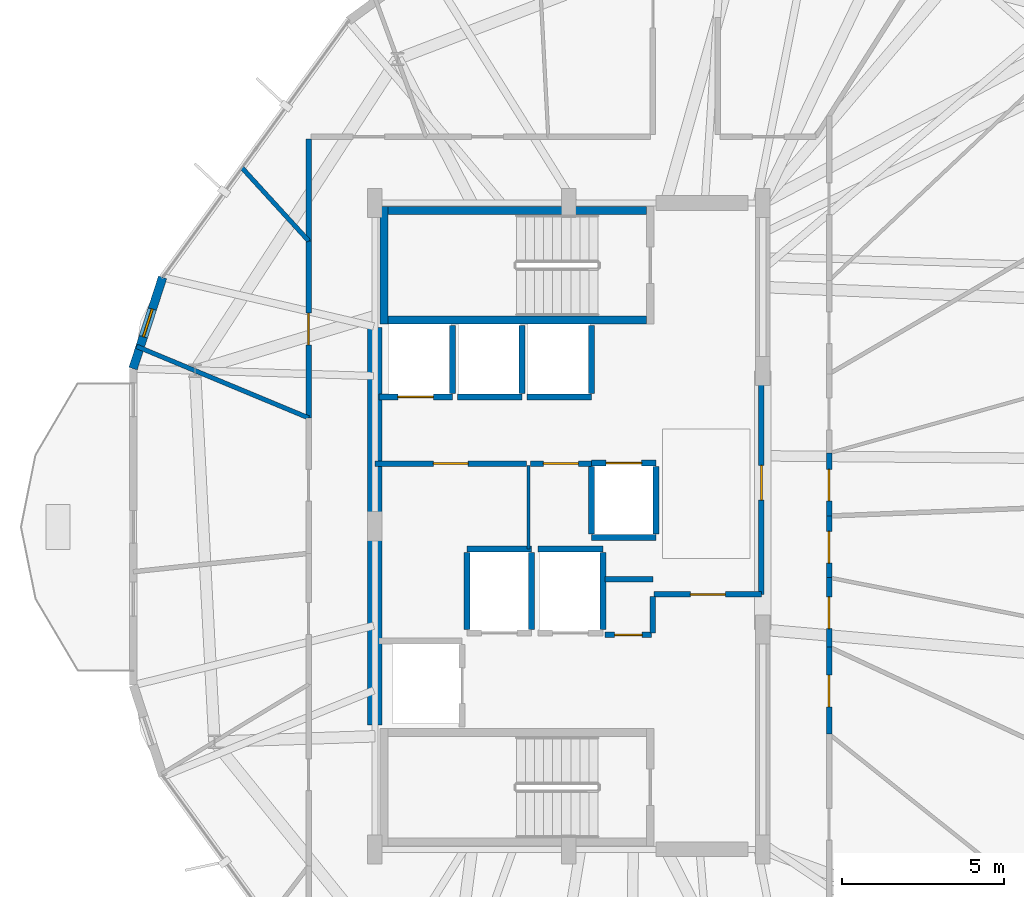
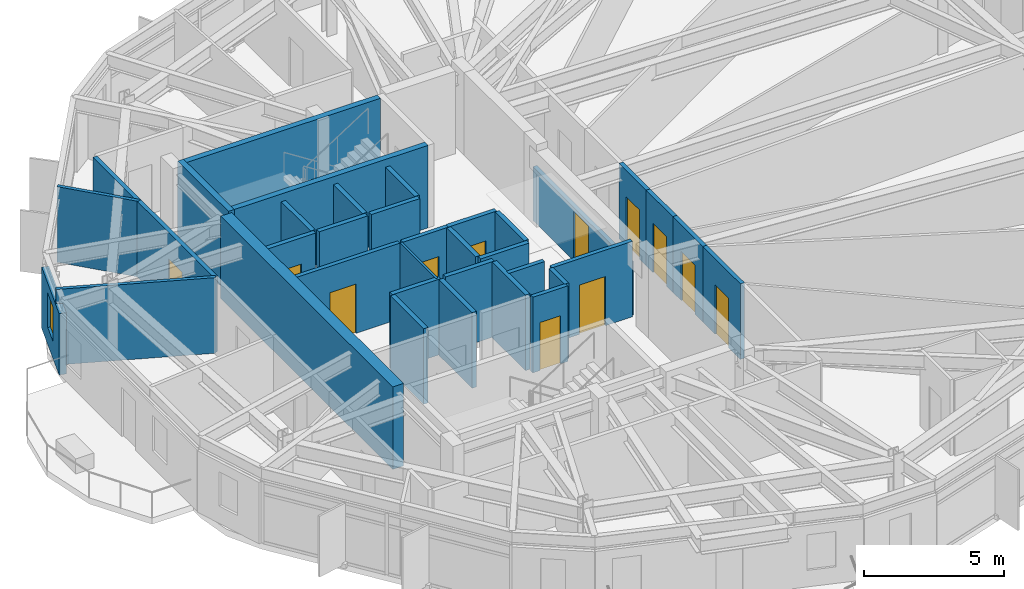
# One storey, part 26 of 31: 36 walls, 12 doors, 1 window, 13 openings.
"""IFC4 building model written with IfcOpenShell, lengths in metres."""

from ifc_helpers import new_model, si_unit, direction, frame, frame_2d, origin, place, context, subcontext, project, spatial, rectangle, extrude, material, layer, layer_set, type_object, element, fill, save


model = new_model("IFC4")

# Units and contexts
model_context = context("Model", 3, precision=1e-05, world=origin(), true_north=direction((0.0, 1.0)))
body_context = subcontext(model_context, "Body", "Model", "MODEL_VIEW")
ifc_project = project(units=[si_unit("LENGTHUNIT", "METRE"), si_unit("AREAUNIT", "SQUARE_METRE"), si_unit("VOLUMEUNIT", "CUBIC_METRE"), si_unit("PLANEANGLEUNIT", "RADIAN"), si_unit("MASSUNIT", "GRAM", prefix="KILO")], contexts=[model_context])

# Site, building, storey
site_placement = place(None, origin())
site = spatial("IfcSite", under=ifc_project, at=site_placement, CompositionType="ELEMENT")
building_placement = place(site_placement, origin())
building = spatial("IfcBuilding", under=site, at=building_placement, Name="Soratama Intermodal Tower", CompositionType="ELEMENT")
storey_placement = place(building_placement, frame((0.0, 0.0, 230.199951171875)))
storey = spatial("IfcBuildingStorey", under=building, at=storey_placement, Name="L58", CompositionType="ELEMENT", Elevation=230.199951171875)

# Wall, opening, window
ifc_material_1 = material(Name="Concrete f'c 42 MPa", Category="concrete")
ifc_layer_1 = layer(ifc_material_1, 0.27001953125)
ifc_layer_set_1 = layer_set([ifc_layer_1], Name="Concrete f'c 42 MPa")
wall_type_1 = type_object("IfcWallType", Name="EW-CRN-270", PredefinedType="SOLIDWALL", material=ifc_layer_set_1)
wall_1_placement = place(storey_placement, frame((26.031494140625, 32.700439453125, 0.0), z_axis=(0.0, 0.0, 1.0), x_axis=(-0.307945174151, -0.95140410432, 0.0)))
wall_1 = element("IfcWall", 1, at=wall_1_placement, inside=storey, type_object=wall_type_1, Name="L58 Corner Closure Wall 03", PredefinedType="SOLIDWALL", context=body_context, shape_type="SweptSolid", body=[
    extrude(rectangle(XDim=2.966796875, YDim=0.27001953125, at=frame_2d((1.4833984375, 0.0))), origin(), (0.0, 0.0, 1.0), 2.678955078125),
])
opening_1_placement = place(wall_1_placement, frame((1.033203125, 0.0, 0.75)))
opening_1 = element("IfcOpeningElement", 2, at=opening_1_placement, cuts=wall_1, Name="Opening WN-6", PredefinedType="OPENING", context=body_context, shape_type="SweptSolid", body=[
    extrude(rectangle(XDim=0.89990234375, YDim=1.5, at=frame_2d((0.449951171875, 0.75))), frame((0.0, 0.14501953125, 0.0), z_axis=(0.0, -1.0, 0.0), x_axis=(1.0, 0.0, 0.0)), (0.0, 0.0, 1.0), 0.2900390625),
])
ifc_material_2 = material(Name="Double-glazed aluminium window", Category="aluminium")
window_type = type_object("IfcWindowType", Name="WN-FAC-900", PartitioningType="SINGLE_PANEL", PredefinedType="WINDOW", material=ifc_material_2)
window_placement = place(opening_1_placement, origin())
window = element("IfcWindow", 3, at=window_placement, inside=storey, type_object=window_type, Name="L58 Corner Window 03", OverallHeight=1.5, OverallWidth=0.89990234375, PartitioningType="SINGLE_PANEL", PredefinedType="WINDOW", context=body_context, shape_type="SweptSolid", body=[
    extrude(rectangle(XDim=0.89990234375, YDim=1.5, at=frame_2d((0.449951171875, 0.75))), frame((0.0, 0.030029296875, 0.0), z_axis=(0.0, -1.0, 0.0), x_axis=(1.0, 0.0, 0.0)), (0.0, 0.0, 1.0), 0.06005859375),
])
fill(opening_1, window)

# Wall, opening, door
ifc_material_3 = material(Name="Fire-rated gypsum stud partition", Category="concrete")
ifc_layer_2 = layer(ifc_material_3, 0.169921875)
ifc_layer_set_2 = layer_set([ifc_layer_2], Name="Fire-rated gypsum stud partition")
wall_type_2 = type_object("IfcWallType", Name="IW-PART-R170", PredefinedType="PARTITIONING", material=ifc_layer_set_2)
wall_2_placement = place(storey_placement, frame((44.56005859375, 29.800048828125, 0.0), z_axis=(0.0, 0.0, 1.0), x_axis=(0.0, -1.0, 0.0)))
wall_2 = element("IfcWall", 4, at=wall_2_placement, inside=storey, type_object=wall_type_2, Name="L58 Partition W-L58-TP011", PredefinedType="PARTITIONING", context=body_context, shape_type="SweptSolid", body=[
    extrude(rectangle(XDim=6.91015625, YDim=0.169921875, at=frame_2d((3.455078125, 0.0))), origin(), (0.0, 0.0, 1.0), 2.340087890625),
])
opening_2_placement = place(wall_2_placement, frame((2.9150390625, 0.0, 0.0)))
opening_2 = element("IfcOpeningElement", 5, at=opening_2_placement, cuts=wall_2, Name="Opening ID-1", PredefinedType="OPENING", context=body_context, shape_type="SweptSolid", body=[
    extrude(rectangle(XDim=1.080078125, YDim=2.14990234375, at=frame_2d((0.5400390625, 1.074951171875))), frame((0.0, 0.094970703125, 0.0), z_axis=(0.0, -1.0, 0.0), x_axis=(1.0, 0.0, 0.0)), (0.0, 0.0, 1.0), 0.18994140625),
])
ifc_material_4 = material(Name="Solid hardwood acoustic door", Category="wood")
door_type_1 = type_object("IfcDoorType", Name="DR-LOB-FD60", OperationType="NOTDEFINED", PredefinedType="DOOR", material=ifc_material_4)
door_1_placement = place(opening_2_placement, origin())
door_1 = element("IfcDoor", 6, at=door_1_placement, inside=storey, type_object=door_type_1, Name="L58 Door D-L58-TP003", OperationType="SINGLE_SWING_RIGHT", OverallHeight=2.14990234375, OverallWidth=1.080078125, PredefinedType="DOOR", context=body_context, shape_type="SweptSolid", body=[
    extrude(rectangle(XDim=1.080078125, YDim=2.14990234375, at=frame_2d((0.5400390625, 1.074951171875))), frame((0.0, 0.02490234375, 0.0), z_axis=(0.0, -1.0, 0.0), x_axis=(1.0, 0.0, 0.0)), (0.0, 0.0, 1.0), 0.050048828125),
])
fill(opening_2, door_1)

wall_3_placement = place(storey_placement, frame((30.550048828125, 28.35107421875, 0.0), z_axis=(0.0, 0.0, 1.0), x_axis=(0.0, 1.0, 0.0)))
wall_3 = element("IfcWall", 7, at=wall_3_placement, inside=storey, type_object=wall_type_2, Name="L58 Partition W-L58-TP017", PredefinedType="PARTITIONING", context=body_context, shape_type="SweptSolid", body=[
    extrude(rectangle(XDim=5.475830078125, YDim=0.169921875, at=frame_2d((2.73779296875, 0.0))), origin(), (0.0, 0.0, 1.0), 3.300048828125),
])
opening_3_placement = place(wall_3_placement, frame((2.262939453125, 0.0, 0.0)))
opening_3 = element("IfcOpeningElement", 8, at=opening_3_placement, cuts=wall_3, Name="Opening ID-5", PredefinedType="OPENING", context=body_context, shape_type="SweptSolid", body=[
    extrude(rectangle(XDim=0.97998046875, YDim=2.14990234375, at=frame_2d((0.489990234375, 1.074951171875))), frame((0.0, 0.094970703125, 0.0), z_axis=(0.0, -1.0, 0.0), x_axis=(1.0, 0.0, 0.0)), (0.0, 0.0, 1.0), 0.18994140625),
])
ifc_material_5 = material(Name="Solid hardwood acoustic door", Category="wood")
door_type_2 = type_object("IfcDoorType", Name="DR-OFF-980", OperationType="NOTDEFINED", PredefinedType="DOOR", material=ifc_material_5)
door_2_placement = place(opening_3_placement, origin())
door_2 = element("IfcDoor", 9, at=door_2_placement, inside=storey, type_object=door_type_2, Name="L58 Door D-L58-TP006", OperationType="SINGLE_SWING_LEFT", OverallHeight=2.14990234375, OverallWidth=0.97998046875, PredefinedType="DOOR", context=body_context, shape_type="SweptSolid", body=[
    extrude(rectangle(XDim=0.97998046875, YDim=2.14990234375, at=frame_2d((0.489990234375, 1.074951171875))), frame((0.0, 0.02490234375, 0.0), z_axis=(0.0, -1.0, 0.0), x_axis=(1.0, 0.0, 0.0)), (0.0, 0.0, 1.0), 0.050048828125),
])
fill(opening_3, door_2)

wall_4_placement = place(storey_placement, frame((37.2900390625, 26.93994140625, 0.0), z_axis=(0.0, 0.0, 1.0), x_axis=(-1.0, 0.0, 0.0)))
wall_4 = element("IfcWall", 10, at=wall_4_placement, inside=storey, type_object=wall_type_2, Name="L58 Partition W-L58-TP024", PredefinedType="PARTITIONING", context=body_context, shape_type="SweptSolid", body=[
    extrude(rectangle(XDim=4.68994140625, YDim=0.169921875, at=frame_2d((2.344970703125, 0.0))), origin(), (0.0, 0.0, 1.0), 3.300048828125),
])
opening_4_placement = place(wall_4_placement, frame((1.804931640625, 0.0, 0.0)))
opening_4 = element("IfcOpeningElement", 11, at=opening_4_placement, cuts=wall_4, Name="Opening ID-1", PredefinedType="OPENING", context=body_context, shape_type="SweptSolid", body=[
    extrude(rectangle(XDim=1.080078125, YDim=2.14990234375, at=frame_2d((0.5400390625, 1.074951171875))), frame((0.0, 0.094970703125, 0.0), z_axis=(0.0, -1.0, 0.0), x_axis=(1.0, 0.0, 0.0)), (0.0, 0.0, 1.0), 0.18994140625),
])
door_3_placement = place(opening_4_placement, origin())
door_3 = element("IfcDoor", 12, at=door_3_placement, inside=storey, type_object=door_type_1, Name="L58 Door D-L58-TP009", OperationType="SINGLE_SWING_RIGHT", OverallHeight=2.14990234375, OverallWidth=1.080078125, PredefinedType="DOOR", context=body_context, shape_type="SweptSolid", body=[
    extrude(rectangle(XDim=1.080078125, YDim=2.14990234375, at=frame_2d((0.5400390625, 1.074951171875))), frame((0.0, 0.02490234375, 0.0), z_axis=(0.0, -1.0, 0.0), x_axis=(1.0, 0.0, 0.0)), (0.0, 0.0, 1.0), 0.050048828125),
])
fill(opening_4, door_3)

wall_5_placement = place(storey_placement, frame((41.239990234375, 22.889892578125, 0.0), z_axis=(0.0, 0.0, 1.0), x_axis=(1.0, 0.0, 0.0)))
wall_5 = element("IfcWall", 13, at=wall_5_placement, inside=storey, type_object=wall_type_2, Name="L58 Partition W-L58-TP030", PredefinedType="PARTITIONING", context=body_context, shape_type="SweptSolid", body=[
    extrude(rectangle(XDim=3.320068359375, YDim=0.169921875, at=frame_2d((1.66015625, 0.0))), origin(), (0.0, 0.0, 1.0), 3.300048828125),
])
opening_5_placement = place(wall_5_placement, frame((1.1201171875, 0.0, 0.0)))
opening_5 = element("IfcOpeningElement", 14, at=opening_5_placement, cuts=wall_5, Name="Opening ID-0", PredefinedType="OPENING", context=body_context, shape_type="SweptSolid", body=[
    extrude(rectangle(XDim=1.080078125, YDim=2.14990234375, at=frame_2d((0.5400390625, 1.074951171875))), frame((0.0, 0.094970703125, 0.0), z_axis=(0.0, -1.0, 0.0), x_axis=(1.0, 0.0, 0.0)), (0.0, 0.0, 1.0), 0.18994140625),
])
ifc_material_6 = material(Name="Solid hardwood acoustic door", Category="wood")
door_type_3 = type_object("IfcDoorType", Name="DR-LOB-FD90", OperationType="NOTDEFINED", PredefinedType="DOOR", material=ifc_material_6)
door_4_placement = place(opening_5_placement, origin())
door_4 = element("IfcDoor", 15, at=door_4_placement, inside=storey, type_object=door_type_3, Name="L58 Door D-L58-TP014", OperationType="SINGLE_SWING_LEFT", OverallHeight=2.14990234375, OverallWidth=1.080078125, PredefinedType="DOOR", context=body_context, shape_type="SweptSolid", body=[
    extrude(rectangle(XDim=1.080078125, YDim=2.14990234375, at=frame_2d((0.5400390625, 1.074951171875))), frame((0.0, 0.02490234375, 0.0), z_axis=(0.0, -1.0, 0.0), x_axis=(1.0, 0.0, 0.0)), (0.0, 0.0, 1.0), 0.050048828125),
])
fill(opening_5, door_4)

# Wall
wall_6_placement = place(storey_placement, frame((30.550048828125, 33.826904296875, 0.0), z_axis=(0.0, 0.0, 1.0), x_axis=(0.0, 1.0, 0.0)))
element("IfcWall", 16, at=wall_6_placement, inside=storey, type_object=wall_type_2, Name="L58 Partition W-L58-TP032", PredefinedType="PARTITIONING", context=body_context, shape_type="SweptSolid", body=[
    extrude(rectangle(XDim=3.153076171875, YDim=0.169921875, at=frame_2d((1.57666015625, 0.0))), origin(), (0.0, 0.0, 1.0), 3.300048828125),
])

# Wall, opening, door
wall_7_placement = place(storey_placement, frame((46.64990234375, 21.264892578125, 0.0), z_axis=(0.0, 0.0, 1.0), x_axis=(0.0, -1.0, 0.0)))
wall_7 = element("IfcWall", 17, at=wall_7_placement, inside=storey, type_object=wall_type_2, Name="L58 Partition W-L58-TP036", PredefinedType="PARTITIONING", context=body_context, shape_type="SweptSolid", body=[
    extrude(rectangle(XDim=2.69189453125, YDim=0.169921875, at=frame_2d((1.345947265625, 0.0))), origin(), (0.0, 0.0, 1.0), 3.300048828125),
])
opening_6_placement = place(wall_7_placement, frame((0.87109375, 0.0, 0.0)))
opening_6 = element("IfcOpeningElement", 18, at=opening_6_placement, cuts=wall_7, Name="Opening ID-5", PredefinedType="OPENING", context=body_context, shape_type="SweptSolid", body=[
    extrude(rectangle(XDim=0.97998046875, YDim=2.14990234375, at=frame_2d((0.489990234375, 1.074951171875))), frame((0.0, 0.094970703125, 0.0), z_axis=(0.0, -1.0, 0.0), x_axis=(1.0, 0.0, 0.0)), (0.0, 0.0, 1.0), 0.18994140625),
])
door_5_placement = place(opening_6_placement, origin())
door_5 = element("IfcDoor", 19, at=door_5_placement, inside=storey, type_object=door_type_2, Name="L58 Door D-L58-TP017", OperationType="SINGLE_SWING_RIGHT", OverallHeight=2.14990234375, OverallWidth=0.97998046875, PredefinedType="DOOR", context=body_context, shape_type="SweptSolid", body=[
    extrude(rectangle(XDim=0.97998046875, YDim=2.14990234375, at=frame_2d((0.489990234375, 1.074951171875))), frame((0.0, 0.02490234375, 0.0), z_axis=(0.0, -1.0, 0.0), x_axis=(1.0, 0.0, 0.0)), (0.0, 0.0, 1.0), 0.050048828125),
])
fill(opening_6, door_5)

wall_8_placement = place(storey_placement, frame((46.64990234375, 23.409912109375, 0.0), z_axis=(0.0, 0.0, 1.0), x_axis=(0.0, -1.0, 0.0)))
wall_8 = element("IfcWall", 20, at=wall_8_placement, inside=storey, type_object=wall_type_2, Name="L58 Partition W-L58-TP043", PredefinedType="PARTITIONING", context=body_context, shape_type="SweptSolid", body=[
    extrude(rectangle(XDim=2.14501953125, YDim=0.169921875, at=frame_2d((1.072509765625, 0.0))), origin(), (0.0, 0.0, 1.0), 3.300048828125),
])
opening_7_placement = place(wall_8_placement, frame((0.596923828125, 0.0, 0.0)))
opening_7 = element("IfcOpeningElement", 21, at=opening_7_placement, cuts=wall_8, Name="Opening ID-5", PredefinedType="OPENING", context=body_context, shape_type="SweptSolid", body=[
    extrude(rectangle(XDim=0.97998046875, YDim=2.14990234375, at=frame_2d((0.489990234375, 1.074951171875))), frame((0.0, 0.094970703125, 0.0), z_axis=(0.0, -1.0, 0.0), x_axis=(1.0, 0.0, 0.0)), (0.0, 0.0, 1.0), 0.18994140625),
])
door_6_placement = place(opening_7_placement, origin())
door_6 = element("IfcDoor", 22, at=door_6_placement, inside=storey, type_object=door_type_2, Name="L58 Door D-L58-TP020", OperationType="SINGLE_SWING_LEFT", OverallHeight=2.14990234375, OverallWidth=0.97998046875, PredefinedType="DOOR", context=body_context, shape_type="SweptSolid", body=[
    extrude(rectangle(XDim=0.97998046875, YDim=2.14990234375, at=frame_2d((0.489990234375, 1.074951171875))), frame((0.0, 0.02490234375, 0.0), z_axis=(0.0, -1.0, 0.0), x_axis=(1.0, 0.0, 0.0)), (0.0, 0.0, 1.0), 0.050048828125),
])
fill(opening_7, door_6)

wall_9_placement = place(storey_placement, frame((46.64990234375, 27.258056640625, 0.0), z_axis=(0.0, 0.0, 1.0), x_axis=(0.0, -1.0, 0.0)))
wall_9 = element("IfcWall", 23, at=wall_9_placement, inside=storey, type_object=wall_type_2, Name="L58 Partition W-L58-TP045", PredefinedType="PARTITIONING", context=body_context, shape_type="SweptSolid", body=[
    extrude(rectangle(XDim=1.942138671875, YDim=0.169921875, at=frame_2d((0.97119140625, 0.0))), origin(), (0.0, 0.0, 1.0), 3.300048828125),
])
opening_8_placement = place(wall_9_placement, frame((0.49609375, 0.0, 0.0)))
opening_8 = element("IfcOpeningElement", 24, at=opening_8_placement, cuts=wall_9, Name="Opening ID-5", PredefinedType="OPENING", context=body_context, shape_type="SweptSolid", body=[
    extrude(rectangle(XDim=0.97998046875, YDim=2.14990234375, at=frame_2d((0.489990234375, 1.074951171875))), frame((0.0, 0.094970703125, 0.0), z_axis=(0.0, -1.0, 0.0), x_axis=(1.0, 0.0, 0.0)), (0.0, 0.0, 1.0), 0.18994140625),
])
door_7_placement = place(opening_8_placement, origin())
door_7 = element("IfcDoor", 25, at=door_7_placement, inside=storey, type_object=door_type_2, Name="L58 Door D-L58-TP021", OperationType="SINGLE_SWING_RIGHT", OverallHeight=2.14990234375, OverallWidth=0.97998046875, PredefinedType="DOOR", context=body_context, shape_type="SweptSolid", body=[
    extrude(rectangle(XDim=0.97998046875, YDim=2.14990234375, at=frame_2d((0.489990234375, 1.074951171875))), frame((0.0, 0.02490234375, 0.0), z_axis=(0.0, -1.0, 0.0), x_axis=(1.0, 0.0, 0.0)), (0.0, 0.0, 1.0), 0.050048828125),
])
fill(opening_8, door_7)

wall_10_placement = place(storey_placement, frame((46.64990234375, 25.31591796875, 0.0), z_axis=(0.0, 0.0, 1.0), x_axis=(0.0, -1.0, 0.0)))
wall_10 = element("IfcWall", 26, at=wall_10_placement, inside=storey, type_object=wall_type_2, Name="L58 Partition W-L58-TP046", PredefinedType="PARTITIONING", context=body_context, shape_type="SweptSolid", body=[
    extrude(rectangle(XDim=1.906005859375, YDim=0.169921875, at=frame_2d((0.953125, 0.0))), origin(), (0.0, 0.0, 1.0), 3.300048828125),
])
opening_9_placement = place(wall_10_placement, frame((0.47802734375, 0.0, 0.0)))
opening_9 = element("IfcOpeningElement", 27, at=opening_9_placement, cuts=wall_10, Name="Opening ID-5", PredefinedType="OPENING", context=body_context, shape_type="SweptSolid", body=[
    extrude(rectangle(XDim=0.97998046875, YDim=2.14990234375, at=frame_2d((0.489990234375, 1.074951171875))), frame((0.0, 0.094970703125, 0.0), z_axis=(0.0, -1.0, 0.0), x_axis=(1.0, 0.0, 0.0)), (0.0, 0.0, 1.0), 0.18994140625),
])
door_8_placement = place(opening_9_placement, origin())
door_8 = element("IfcDoor", 28, at=door_8_placement, inside=storey, type_object=door_type_2, Name="L58 Door D-L58-TP022", OperationType="SINGLE_SWING_LEFT", OverallHeight=2.14990234375, OverallWidth=0.97998046875, PredefinedType="DOOR", context=body_context, shape_type="SweptSolid", body=[
    extrude(rectangle(XDim=0.97998046875, YDim=2.14990234375, at=frame_2d((0.489990234375, 1.074951171875))), frame((0.0, 0.02490234375, 0.0), z_axis=(0.0, -1.0, 0.0), x_axis=(1.0, 0.0, 0.0)), (0.0, 0.0, 1.0), 0.050048828125),
])
fill(opening_9, door_8)

wall_11_placement = place(storey_placement, frame((39.300048828125, 26.93994140625, 0.0), z_axis=(0.0, 0.0, 1.0), x_axis=(-1.0, 0.0, 0.0)))
wall_11 = element("IfcWall", 29, at=wall_11_placement, inside=storey, type_object=wall_type_2, Name="L58 Partition W-L58-TP047", PredefinedType="PARTITIONING", context=body_context, shape_type="SweptSolid", body=[
    extrude(rectangle(XDim=1.89013671875, YDim=0.169921875, at=frame_2d((0.945068359375, 0.0))), origin(), (0.0, 0.0, 1.0), 3.300048828125),
])
opening_10_placement = place(wall_11_placement, frame((0.405029296875, 0.0, 0.0)))
opening_10 = element("IfcOpeningElement", 30, at=opening_10_placement, cuts=wall_11, Name="Opening ID-1", PredefinedType="OPENING", context=body_context, shape_type="SweptSolid", body=[
    extrude(rectangle(XDim=1.080078125, YDim=2.14990234375, at=frame_2d((0.5400390625, 1.074951171875))), frame((0.0, 0.094970703125, 0.0), z_axis=(0.0, -1.0, 0.0), x_axis=(1.0, 0.0, 0.0)), (0.0, 0.0, 1.0), 0.18994140625),
])
door_9_placement = place(opening_10_placement, origin())
door_9 = element("IfcDoor", 31, at=door_9_placement, inside=storey, type_object=door_type_1, Name="L58 Door D-L58-TP023", OperationType="SINGLE_SWING_RIGHT", OverallHeight=2.14990234375, OverallWidth=1.080078125, PredefinedType="DOOR", context=body_context, shape_type="SweptSolid", body=[
    extrude(rectangle(XDim=1.080078125, YDim=2.14990234375, at=frame_2d((0.5400390625, 1.074951171875))), frame((0.0, 0.02490234375, 0.0), z_axis=(0.0, -1.0, 0.0), x_axis=(1.0, 0.0, 0.0)), (0.0, 0.0, 1.0), 0.050048828125),
])
fill(opening_10, door_9)

wall_12_placement = place(storey_placement, frame((39.719970703125, 21.639892578125, 0.0), z_axis=(0.0, 0.0, 1.0), x_axis=(1.0, 0.0, 0.0)))
wall_12 = element("IfcWall", 32, at=wall_12_placement, inside=storey, type_object=wall_type_2, Name="L58 Partition W-L58-TP049", PredefinedType="PARTITIONING", context=body_context, shape_type="SweptSolid", body=[
    extrude(rectangle(XDim=1.43994140625, YDim=0.169921875, at=frame_2d((0.719970703125, 0.0))), origin(), (0.0, 0.0, 1.0), 3.300048828125),
])
opening_11_placement = place(wall_12_placement, frame((0.294921875, 0.0, 0.0)))
opening_11 = element("IfcOpeningElement", 33, at=opening_11_placement, cuts=wall_12, Name="Opening ID-4", PredefinedType="OPENING", context=body_context, shape_type="SweptSolid", body=[
    extrude(rectangle(XDim=0.85009765625, YDim=2.10009765625, at=frame_2d((0.425048828125, 1.050048828125))), frame((0.0, 0.094970703125, 0.0), z_axis=(0.0, -1.0, 0.0), x_axis=(1.0, 0.0, 0.0)), (0.0, 0.0, 1.0), 0.18994140625),
])
ifc_material_7 = material(Name="Solid hardwood acoustic door", Category="wood")
door_type_4 = type_object("IfcDoorType", Name="DR-BATH-850", OperationType="NOTDEFINED", PredefinedType="DOOR", material=ifc_material_7)
door_10_placement = place(opening_11_placement, origin())
door_10 = element("IfcDoor", 34, at=door_10_placement, inside=storey, type_object=door_type_4, Name="L58 Door D-L58-TP024", OperationType="SINGLE_SWING_LEFT", OverallHeight=2.10009765625, OverallWidth=0.85009765625, PredefinedType="DOOR", context=body_context, shape_type="SweptSolid", body=[
    extrude(rectangle(XDim=0.85009765625, YDim=2.10009765625, at=frame_2d((0.425048828125, 1.050048828125))), frame((0.0, 0.02490234375, 0.0), z_axis=(0.0, -1.0, 0.0), x_axis=(1.0, 0.0, 0.0)), (0.0, 0.0, 1.0), 0.050048828125),
])
fill(opening_11, door_10)

# Walls
wall_13_placement = place(storey_placement, frame((41.199951171875, 21.699951171875, 0.0), z_axis=(0.0, 0.0, 1.0), x_axis=(0.0, 1.0, 0.0)))
element("IfcWall", 35, at=wall_13_placement, inside=storey, type_object=wall_type_2, Name="L58 Partition W-L58-TP050", PredefinedType="PARTITIONING", context=body_context, shape_type="SweptSolid", body=[
    extrude(rectangle(XDim=1.1201171875, YDim=0.169921875, at=frame_2d((0.56005859375, 0.0))), origin(), (0.0, 0.0, 1.0), 3.300048828125),
])
wall_14_placement = place(storey_placement, frame((41.199951171875, 23.360107421875, 0.0), z_axis=(0.0, 0.0, 1.0), x_axis=(-1.0, 0.0, 0.0)))
element("IfcWall", 36, at=wall_14_placement, inside=storey, type_object=wall_type_2, Name="L58 Partition W-L58-TP052", PredefinedType="PARTITIONING", context=body_context, shape_type="SweptSolid", body=[
    extrude(rectangle(XDim=1.47998046875, YDim=0.169921875, at=frame_2d((0.739990234375, 0.0))), origin(), (0.0, 0.0, 1.0), 3.300048828125),
])
ifc_material_8 = material(Name="Fire-rated gypsum stud partition", Category="concrete")
ifc_layer_3 = layer(ifc_material_8, 0.10009765625)
ifc_layer_set_3 = layer_set([ifc_layer_3], Name="Fire-rated gypsum stud partition")
wall_type_3 = type_object("IfcWallType", Name="IW-PART-S100", PredefinedType="PARTITIONING", material=ifc_layer_set_3)
wall_15_placement = place(storey_placement, frame((37.35009765625, 26.8798828125, 0.0), z_axis=(0.0, 0.0, 1.0), x_axis=(0.0, -1.0, 0.0)))
element("IfcWall", 37, at=wall_15_placement, inside=storey, type_object=wall_type_3, Name="L58 Partition W-L58-TP037", PredefinedType="PARTITIONING", context=body_context, shape_type="SweptSolid", body=[
    extrude(rectangle(XDim=2.579833984375, YDim=0.10009765625, at=frame_2d((1.2900390625, 0.0))), origin(), (0.0, 0.0, 1.0), 3.300048828125),
])
ifc_material_9 = material(Name="Fire-rated gypsum stud partition", Category="concrete")
ifc_layer_4 = layer(ifc_material_9, 0.139892578125)
ifc_layer_set_4 = layer_set([ifc_layer_4], Name="Fire-rated gypsum stud partition")
wall_type_4 = type_object("IfcWallType", Name="IW-PART-S140", PredefinedType="PARTITIONING", material=ifc_layer_set_4)
wall_16_placement = place(storey_placement, frame((30.550048828125, 28.35107421875, 0.0), z_axis=(0.0, 0.0, 1.0), x_axis=(-0.923290981213, 0.384101241875, 0.0)))
element("IfcWall", 38, at=wall_16_placement, inside=storey, type_object=wall_type_4, Name="L58 Partition W-L58-TP013", PredefinedType="PARTITIONING", context=body_context, shape_type="SweptSolid", body=[
    extrude(rectangle(XDim=5.766357421875, YDim=0.139892578125, at=frame_2d((2.88330078125, 0.0))), origin(), (0.0, 0.0, 1.0), 3.300048828125),
])
wall_17_placement = place(storey_placement, frame((30.550048828125, 33.826904296875, 0.0), z_axis=(0.0, 0.0, 1.0), x_axis=(-0.673847391002, 0.738870552695, 0.0)))
element("IfcWall", 39, at=wall_17_placement, inside=storey, type_object=wall_type_4, Name="L58 Partition W-L58-TP033", PredefinedType="PARTITIONING", context=body_context, shape_type="SweptSolid", body=[
    extrude(rectangle(XDim=3.06005859375, YDim=0.139892578125, at=frame_2d((1.530029296875, 0.0))), origin(), (0.0, 0.0, 1.0), 3.300048828125),
])
ifc_material_10 = material(Name="Concrete f'c 42 MPa", Category="concrete")
ifc_layer_5 = layer(ifc_material_10, 0.18505859375)
ifc_layer_set_5 = layer_set([ifc_layer_5], Name="Concrete f'c 42 MPa")
wall_type_5 = type_object("IfcWallType", Name="IW-SHAFT-185", PredefinedType="SOLIDWALL", material=ifc_layer_set_5)
wall_18_placement = place(storey_placement, frame((35.449951171875, 24.300048828125, 0.0), z_axis=(0.0, 0.0, 1.0), x_axis=(1.0, 0.0, 0.0)))
element("IfcWall", 40, at=wall_18_placement, inside=storey, type_object=wall_type_5, Name="L58 FFL-1 Hoistway Wall N", PredefinedType="SOLIDWALL", context=body_context, shape_type="SweptSolid", body=[
    extrude(rectangle(XDim=2.0, YDim=0.18505859375, at=frame_2d((1.0, 0.0))), origin(), (0.0, 0.0, 1.0), 3.300048828125),
])
for number, where, z_axis, x_axis, name in (
    (41, (35.449951171875, 21.81005859375, 0.0), (0.0, 0.0, 1.0), (0.0, 1.0, 0.0), "L58 FFL-1 Hoistway Wall W"),
    (42, (37.449951171875, 21.81005859375, 0.0), (0.0, 0.0, 1.0), (0.0, 1.0, 0.0), "L58 FFL-1 Hoistway Wall E"),
):
    element("IfcWall", number, at=place(storey_placement, frame(where, z_axis=z_axis, x_axis=x_axis)), inside=storey, type_object=wall_type_5, Name=name, PredefinedType="SOLIDWALL", context=body_context, shape_type="SweptSolid", body=[
        extrude(rectangle(XDim=2.3798828125, YDim=0.18505859375, at=frame_2d((1.18994140625, 0.0))), origin(), (0.0, 0.0, 1.0), 3.300048828125),
    ])
wall_19_placement = place(storey_placement, frame((37.64990234375, 24.300048828125, 0.0), z_axis=(0.0, 0.0, 1.0), x_axis=(1.0, 0.0, 0.0)))
element("IfcWall", 43, at=wall_19_placement, inside=storey, type_object=wall_type_5, Name="L58 FFL-2 Hoistway Wall N", PredefinedType="SOLIDWALL", context=body_context, shape_type="SweptSolid", body=[
    extrude(rectangle(XDim=2.0, YDim=0.18505859375, at=frame_2d((1.0, 0.0))), origin(), (0.0, 0.0, 1.0), 3.300048828125),
])
wall_20_placement = place(storey_placement, frame((39.64990234375, 21.81005859375, 0.0), z_axis=(0.0, 0.0, 1.0), x_axis=(0.0, 1.0, 0.0)))
element("IfcWall", 44, at=wall_20_placement, inside=storey, type_object=wall_type_5, Name="L58 FFL-2 Hoistway Wall E", PredefinedType="SOLIDWALL", context=body_context, shape_type="SweptSolid", body=[
    extrude(rectangle(XDim=2.3798828125, YDim=0.18505859375, at=frame_2d((1.18994140625, 0.0))), origin(), (0.0, 0.0, 1.0), 3.300048828125),
])
wall_21_placement = place(storey_placement, frame((39.300048828125, 24.64990234375, 0.0), z_axis=(0.0, 0.0, 1.0), x_axis=(1.0, 0.0, 0.0)))
element("IfcWall", 45, at=wall_21_placement, inside=storey, type_object=wall_type_5, Name="L58 PL-M1 Hoistway Wall S", PredefinedType="SOLIDWALL", context=body_context, shape_type="SweptSolid", body=[
    extrude(rectangle(XDim=2.0, YDim=0.18505859375, at=frame_2d((1.0, 0.0))), origin(), (0.0, 0.0, 1.0), 3.300048828125),
])

# Wall, opening, door
wall_22_placement = place(storey_placement, frame((39.300048828125, 26.949951171875, 0.0), z_axis=(0.0, 0.0, 1.0), x_axis=(1.0, 0.0, 0.0)))
wall_22 = element("IfcWall", 46, at=wall_22_placement, inside=storey, type_object=wall_type_5, Name="L58 PL-M1 Hoistway Wall N", PredefinedType="SOLIDWALL", context=body_context, shape_type="SweptSolid", body=[
    extrude(rectangle(XDim=2.0, YDim=0.18505859375, at=frame_2d((1.0, 0.0))), origin(), (0.0, 0.0, 1.0), 3.300048828125),
])
opening_12_placement = place(wall_22_placement, frame((0.449951171875, 0.0, 0.0)))
opening_12 = element("IfcOpeningElement", 47, at=opening_12_placement, cuts=wall_22, Name="Opening LD-1", PredefinedType="OPENING", context=body_context, shape_type="SweptSolid", body=[
    extrude(rectangle(XDim=1.10009765625, YDim=2.14990234375, at=frame_2d((0.550048828125, 1.074951171875))), frame((0.0, 0.1025390625, 0.0), z_axis=(0.0, -1.0, 0.0), x_axis=(1.0, 0.0, 0.0)), (0.0, 0.0, 1.0), 0.205078125),
])
ifc_material_11 = material(Name="Steel fire door", Category="steel")
door_type_5 = type_object("IfcDoorType", Name="DR-LIFT-SLIDE", OperationType="NOTDEFINED", PredefinedType="DOOR", material=ifc_material_11)
door_11_placement = place(opening_12_placement, origin())
door_11 = element("IfcDoor", 48, at=door_11_placement, inside=storey, type_object=door_type_5, Name="L58 PL-M1 Sliding Landing Door", OperationType="SLIDING_TO_LEFT", OverallHeight=2.14990234375, OverallWidth=1.10009765625, PredefinedType="DOOR", context=body_context, shape_type="SweptSolid", body=[
    extrude(rectangle(XDim=1.10009765625, YDim=2.14990234375, at=frame_2d((0.550048828125, 1.074951171875))), frame((0.0, 0.02490234375, 0.0), z_axis=(0.0, -1.0, 0.0), x_axis=(1.0, 0.0, 0.0)), (0.0, 0.0, 1.0), 0.050048828125),
])
fill(opening_12, door_11)

# Walls
for number, where, z_axis, x_axis, name in (
    (49, (39.300048828125, 24.760009765625, 0.0), (0.0, 0.0, 1.0), (0.0, 1.0, 0.0), "L58 PL-M1 Hoistway Wall W"),
    (50, (41.300048828125, 24.760009765625, 0.0), (0.0, 0.0, 1.0), (0.0, 1.0, 0.0), "L58 PL-M1 Hoistway Wall E"),
):
    element("IfcWall", number, at=place(storey_placement, frame(where, z_axis=z_axis, x_axis=x_axis)), inside=storey, type_object=wall_type_5, Name=name, PredefinedType="SOLIDWALL", context=body_context, shape_type="SweptSolid", body=[
        extrude(rectangle(XDim=2.080078125, YDim=0.18505859375, at=frame_2d((1.0400390625, 0.0))), origin(), (0.0, 0.0, 1.0), 3.300048828125),
    ])

# Wall, opening, door
wall_23_placement = place(storey_placement, frame((32.719970703125, 29.0, 0.0), z_axis=(0.0, 0.0, 1.0), x_axis=(1.0, 0.0, 0.0)))
wall_23 = element("IfcWall", 51, at=wall_23_placement, inside=storey, type_object=wall_type_5, Name="L58 PL-M2 Hoistway Wall S", PredefinedType="SOLIDWALL", context=body_context, shape_type="SweptSolid", body=[
    extrude(rectangle(XDim=2.280029296875, YDim=0.18505859375, at=frame_2d((1.14013671875, 0.0))), origin(), (0.0, 0.0, 1.0), 3.300048828125),
])
opening_13_placement = place(wall_23_placement, frame((0.590087890625, 0.0, 0.0)))
opening_13 = element("IfcOpeningElement", 52, at=opening_13_placement, cuts=wall_23, Name="Opening LD-1", PredefinedType="OPENING", context=body_context, shape_type="SweptSolid", body=[
    extrude(rectangle(XDim=1.10009765625, YDim=2.14990234375, at=frame_2d((0.550048828125, 1.074951171875))), frame((0.0, 0.1025390625, 0.0), z_axis=(0.0, -1.0, 0.0), x_axis=(1.0, 0.0, 0.0)), (0.0, 0.0, 1.0), 0.205078125),
])
door_12_placement = place(opening_13_placement, origin())
door_12 = element("IfcDoor", 53, at=door_12_placement, inside=storey, type_object=door_type_5, Name="L58 PL-M2 Sliding Landing Door", OperationType="SLIDING_TO_LEFT", OverallHeight=2.14990234375, OverallWidth=1.10009765625, PredefinedType="DOOR", context=body_context, shape_type="SweptSolid", body=[
    extrude(rectangle(XDim=1.10009765625, YDim=2.14990234375, at=frame_2d((0.550048828125, 1.074951171875))), frame((0.0, 0.02490234375, 0.0), z_axis=(0.0, -1.0, 0.0), x_axis=(1.0, 0.0, 0.0)), (0.0, 0.0, 1.0), 0.050048828125),
])
fill(opening_13, door_12)

# Walls
wall_24_placement = place(storey_placement, frame((35.0, 29.110107421875, 0.0), z_axis=(0.0, 0.0, 1.0), x_axis=(0.0, 1.0, 0.0)))
element("IfcWall", 54, at=wall_24_placement, inside=storey, type_object=wall_type_5, Name="L58 PL-M2 Hoistway Wall E", PredefinedType="SOLIDWALL", context=body_context, shape_type="SweptSolid", body=[
    extrude(rectangle(XDim=2.099853515625, YDim=0.18505859375, at=frame_2d((1.0498046875, 0.0))), origin(), (0.0, 0.0, 1.0), 3.300048828125),
])
wall_25_placement = place(storey_placement, frame((35.14990234375, 29.0, 0.0), z_axis=(0.0, 0.0, 1.0), x_axis=(1.0, 0.0, 0.0)))
element("IfcWall", 55, at=wall_25_placement, inside=storey, type_object=wall_type_5, Name="L58 PL-H1 Hoistway Wall S", PredefinedType="SOLIDWALL", context=body_context, shape_type="SweptSolid", body=[
    extrude(rectangle(XDim=2.0, YDim=0.18505859375, at=frame_2d((1.0, 0.0))), origin(), (0.0, 0.0, 1.0), 3.300048828125),
])
wall_26_placement = place(storey_placement, frame((37.14990234375, 29.110107421875, 0.0), z_axis=(0.0, 0.0, 1.0), x_axis=(0.0, 1.0, 0.0)))
element("IfcWall", 56, at=wall_26_placement, inside=storey, type_object=wall_type_5, Name="L58 PL-H1 Hoistway Wall E", PredefinedType="SOLIDWALL", context=body_context, shape_type="SweptSolid", body=[
    extrude(rectangle(XDim=2.099853515625, YDim=0.18505859375, at=frame_2d((1.0498046875, 0.0))), origin(), (0.0, 0.0, 1.0), 3.300048828125),
])
wall_27_placement = place(storey_placement, frame((37.300048828125, 29.0, 0.0), z_axis=(0.0, 0.0, 1.0), x_axis=(1.0, 0.0, 0.0)))
element("IfcWall", 57, at=wall_27_placement, inside=storey, type_object=wall_type_5, Name="L58 PL-H2 Hoistway Wall S", PredefinedType="SOLIDWALL", context=body_context, shape_type="SweptSolid", body=[
    extrude(rectangle(XDim=2.0, YDim=0.18505859375, at=frame_2d((1.0, 0.0))), origin(), (0.0, 0.0, 1.0), 3.300048828125),
])
wall_28_placement = place(storey_placement, frame((39.300048828125, 29.110107421875, 0.0), z_axis=(0.0, 0.0, 1.0), x_axis=(0.0, 1.0, 0.0)))
element("IfcWall", 58, at=wall_28_placement, inside=storey, type_object=wall_type_5, Name="L58 PL-H2 Hoistway Wall E", PredefinedType="SOLIDWALL", context=body_context, shape_type="SweptSolid", body=[
    extrude(rectangle(XDim=2.099853515625, YDim=0.18505859375, at=frame_2d((1.0498046875, 0.0))), origin(), (0.0, 0.0, 1.0), 3.300048828125),
])
ifc_material_12 = material(Name="Concrete f'c 56 MPa", Category="concrete")
ifc_layer_6 = layer(ifc_material_12, 0.449951171875)
ifc_layer_set_6 = layer_set([ifc_layer_6], Name="Concrete f'c 56 MPa")
wall_type_6 = type_object("IfcWallType", Name="SW-CORE-450", PredefinedType="SHEAR", material=ifc_layer_set_6)
wall_29_placement = place(storey_placement, frame((32.60009765625, 18.85009765625, 0.0), z_axis=(0.0, 0.0, 1.0), x_axis=(0.0, 1.0, 0.0)))
element("IfcWall", 59, at=wall_29_placement, inside=storey, type_object=wall_type_6, Name="L58 Core Shear Wall CW-WMID", PredefinedType="SHEAR", context=body_context, shape_type="SweptSolid", body=[
    extrude(rectangle(XDim=12.2998046875, YDim=0.449951171875, at=frame_2d((6.14990234375, 0.0))), origin(), (0.0, 0.0, 1.0), 3.60009765625),
])
ifc_material_13 = material(Name="Concrete f'c 56 MPa", Category="concrete")
ifc_layer_7 = layer(ifc_material_13, 0.239990234375)
ifc_layer_set_7 = layer_set([ifc_layer_7], Name="Concrete f'c 56 MPa")
wall_type_7 = type_object("IfcWallType", Name="SW-STAIR-240", PredefinedType="SHEAR", material=ifc_layer_set_7)
wall_30_placement = place(storey_placement, frame((32.8798828125, 31.260009765625, 0.0), z_axis=(0.0, 0.0, 1.0), x_axis=(0.0, 1.0, 0.0)))
element("IfcWall", 60, at=wall_30_placement, inside=storey, type_object=wall_type_7, Name="L58 ST-2 Shaft Shear Wall W", PredefinedType="SHEAR", context=body_context, shape_type="SweptSolid", body=[
    extrude(rectangle(XDim=3.6298828125, YDim=0.239990234375, at=frame_2d((1.81494140625, 0.0))), origin(), (0.0, 0.0, 1.0), 3.60009765625),
])
for number, where, z_axis, x_axis, name in (
    (61, (33.0, 31.3798828125, 0.0), (0.0, 0.0, 1.0), (1.0, 0.0, 0.0), "L58 ST-2 Shaft Shear Wall S"),
    (62, (33.0, 34.77001953125, 0.0), (0.0, 0.0, 1.0), (1.0, 0.0, 0.0), "L58 ST-2 Shaft Shear Wall N"),
):
    element("IfcWall", number, at=place(storey_placement, frame(where, z_axis=z_axis, x_axis=x_axis)), inside=storey, type_object=wall_type_7, Name=name, PredefinedType="SHEAR", context=body_context, shape_type="SweptSolid", body=[
        extrude(rectangle(XDim=8.0, YDim=0.239990234375, at=frame_2d((4.0, 0.0))), origin(), (0.0, 0.0, 1.0), 3.60009765625),
    ])

save(model, "model.ifc")
